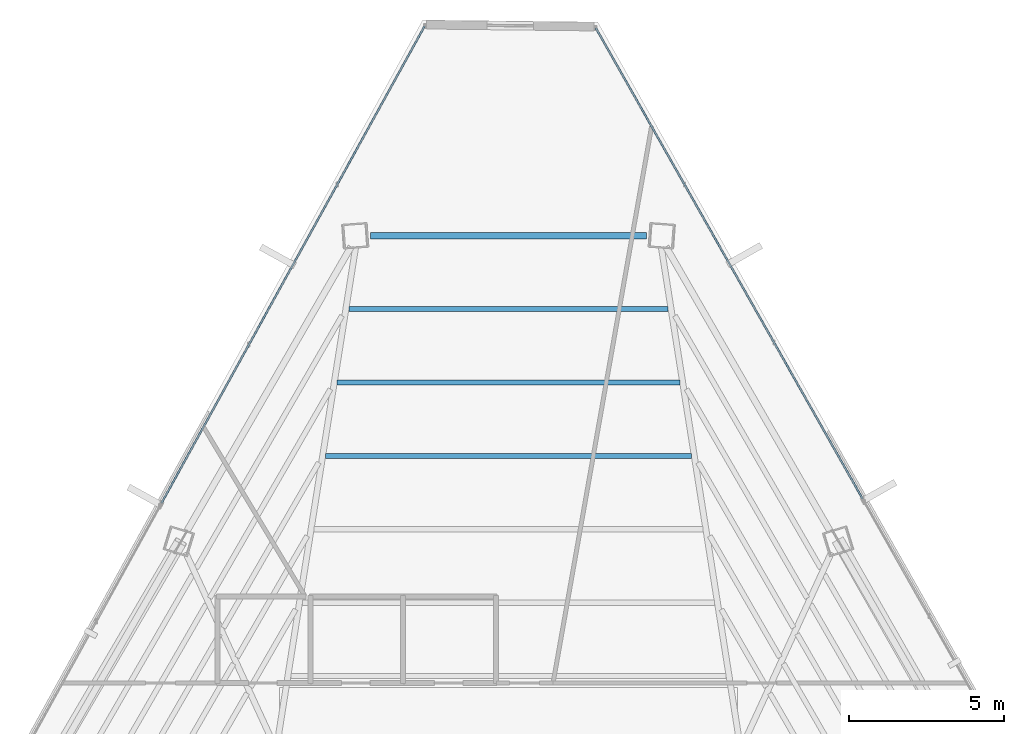
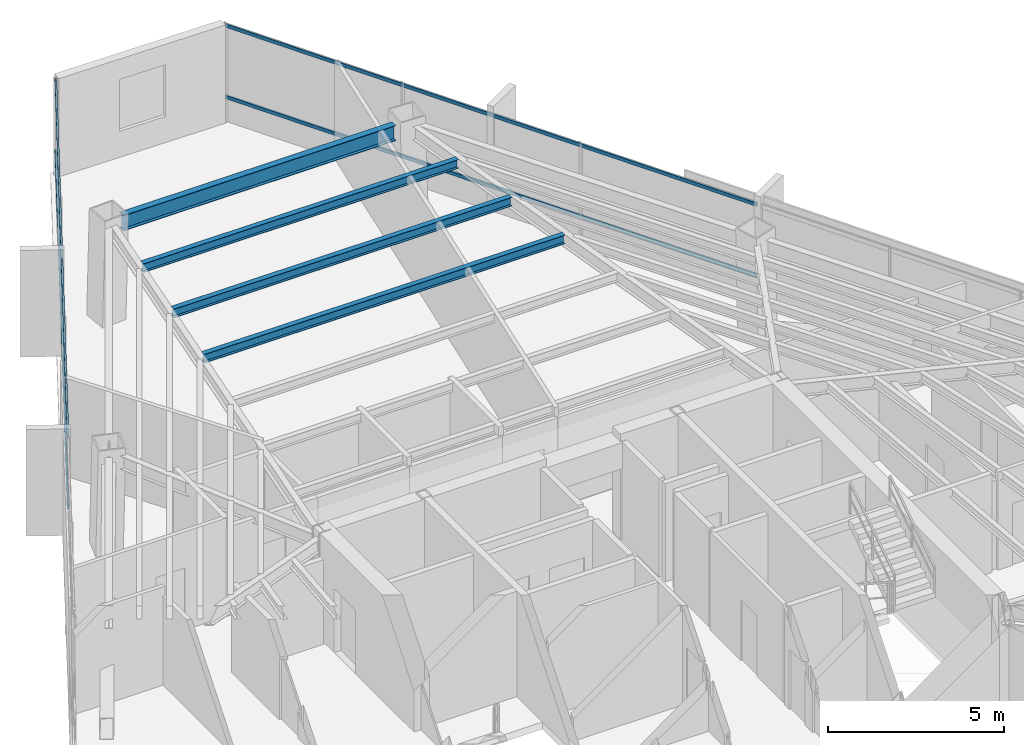
# One storey, part 30 of 41: 4 beams, 4 members, 2 elements without a shape of their own.
"""IFC4 building model written with IfcOpenShell, lengths in metres."""

import ifcopenshell
import ifcopenshell.guid

model = None  # the IFC model being written
_history = None  # IfcOwnerHistory: only IFC2X3 demands one
_inside = {}  # id of a spatial element -> (the spatial element, [elements in it])
_under = {}  # id of a project, library or spatial element -> (it, [spatial elements below it])
_declared = {}  # id of a project -> (the project, [libraries it declares])
_typed = {}  # id of a type object -> (the type object, [elements of that type])
_made_of = {}  # id of a material, layer set ... -> (it, [elements and type objects made of it])


def new_model(schema):
    """Start an empty IFC model of exactly this schema.

    Asked for "IFC4X3", IfcOpenShell would pick the latest addendum, in which some entities
    have other attributes; the version numbers below select the first issue.
    IFC2X3 requires an IfcOwnerHistory on every rooted entity: one is made here for all.
    """
    global model, _history
    if schema == "IFC4X3":
        model = ifcopenshell.file(schema_version=(4, 3, 0, 0))
    else:
        model = ifcopenshell.file(schema=schema)
    _inside.clear()
    _under.clear()
    _declared.clear()
    _typed.clear()
    _made_of.clear()
    _history = None
    if model.schema == "IFC2X3":
        org = make("IfcOrganization", Name="unknown")
        user = make(
            "IfcPersonAndOrganization",
            ThePerson=make("IfcPerson", FamilyName="unknown"),
            TheOrganization=org,
        )
        app = make(
            "IfcApplication",
            ApplicationDeveloper=org,
            Version="unknown",
            ApplicationFullName="unknown",
            ApplicationIdentifier="unknown",
        )
        _history = make(
            "IfcOwnerHistory",
            OwningUser=user,
            OwningApplication=app,
            ChangeAction="ADDED",
            CreationDate=0,
        )
    return model


def make(cls, **values):
    """One entity of the class cls with the attributes given. An attribute that is None is left unset."""
    return model.create_entity(
        cls, **{name: value for name, value in values.items() if value is not None}
    )


def rooted(cls, **values):
    """An entity with a GlobalId (a new one), such as an element, a storey or a relation."""
    return make(cls, GlobalId=ifcopenshell.guid.new(), OwnerHistory=_history, **values)


def si_unit(unit_type, name, prefix=None):
    """IfcSIUnit, for example si_unit("LENGTHUNIT", "METRE", prefix="MILLI")."""
    return make("IfcSIUnit", UnitType=unit_type, Prefix=prefix, Name=name)


def assignment(units):
    """IfcUnitAssignment: the units of a project."""
    return None if units is None else make("IfcUnitAssignment", Units=units)


def point(xyz):
    """IfcCartesianPoint."""
    return None if xyz is None else make("IfcCartesianPoint", Coordinates=xyz)


def direction(xyz):
    """IfcDirection."""
    return None if xyz is None else make("IfcDirection", DirectionRatios=xyz)


def frame(location, z_axis=None, x_axis=None):
    """IfcAxis2Placement3D, a coordinate frame: its origin and axes. An axis left out is left unset."""
    return make(
        "IfcAxis2Placement3D",
        Location=point(location),
        Axis=direction(z_axis),
        RefDirection=direction(x_axis),
    )


def frame_2d(location, x_axis=None):
    """IfcAxis2Placement2D, a coordinate frame in the plane: its origin and x axis."""
    return make(
        "IfcAxis2Placement2D", Location=point(location), RefDirection=direction(x_axis)
    )


def origin():
    """The frame at (0, 0, 0) with its axes left unset."""
    return frame((0.0, 0.0, 0.0))


def origin_2d():
    """The frame at (0, 0) in the plane with its x axis left unset."""
    return frame_2d((0.0, 0.0))


def place(relative_to, where):
    """IfcLocalPlacement: puts the frame where relative to a parent placement (None: the world)."""
    return make(
        "IfcLocalPlacement", PlacementRelTo=relative_to, RelativePlacement=where
    )


def context(
    kind, dimensions, precision=None, world=None, true_north=None, identifier=None
):
    """IfcGeometricRepresentationContext, for example the 3D "Model" context."""
    return make(
        "IfcGeometricRepresentationContext",
        ContextIdentifier=identifier,
        ContextType=kind,
        CoordinateSpaceDimension=dimensions,
        Precision=precision,
        WorldCoordinateSystem=world,
        TrueNorth=true_north,
    )


def subcontext(parent, identifier, kind, view, scale=None):
    """IfcGeometricRepresentationSubContext, for example "Body" below "Model"."""
    return make(
        "IfcGeometricRepresentationSubContext",
        ContextIdentifier=identifier,
        ContextType=kind,
        ParentContext=parent,
        TargetScale=scale,
        TargetView=view,
    )


def project(units=None, contexts=None):
    """IfcProject with its units and contexts."""
    return rooted(
        "IfcProject",
        Name="project",
        RepresentationContexts=contexts,
        UnitsInContext=assignment(units),
    )


def spatial(cls, under=None, at=None, **own):
    """A site, building, storey or space (cls), placed at a placement, below another one or the project."""
    s = rooted(cls, ObjectPlacement=at, **own)
    if under is not None:
        _under.setdefault(under.id(), (under, []))[1].append(s)
    return s


def profile(cls, at=None, kind="AREA", **sizes):
    """A parametric profile (cls). Its sizes go by their IFC names, for example OverallWidth=200.0."""
    return make(cls, ProfileType=kind, Position=at, **sizes)


def hollow_rectangle(**sizes):
    """IfcRectangleHollowProfileDef."""
    return profile("IfcRectangleHollowProfileDef", **sizes)


def i_section(**sizes):
    """IfcIShapeProfileDef."""
    return profile("IfcIShapeProfileDef", **sizes)


def extrude(swept, where, along, depth):
    """IfcExtrudedAreaSolid: the profile swept, set in the frame where, extruded along a direction by depth."""
    return make(
        "IfcExtrudedAreaSolid",
        SweptArea=swept,
        Position=where,
        ExtrudedDirection=direction(along),
        Depth=depth,
    )


def shape(context_of_items, identifier, shape_type, items):
    """IfcShapeRepresentation: the items that make up one representation, for example the "Body"."""
    return make(
        "IfcShapeRepresentation",
        ContextOfItems=context_of_items,
        RepresentationIdentifier=identifier,
        RepresentationType=shape_type,
        Items=items,
    )


def source(mapping_origin, context_of_items, identifier, shape_type, items):
    """IfcRepresentationMap: a shape defined once, which mapped items show again and again."""
    return make(
        "IfcRepresentationMap",
        MappingOrigin=mapping_origin,
        MappedRepresentation=shape(context_of_items, identifier, shape_type, items),
    )


def transform(
    local_origin,
    x_axis=None,
    y_axis=None,
    z_axis=None,
    scale=None,
    scale2=None,
    scale3=None,
    uniform=True,
):
    """IfcCartesianTransformationOperator3D, or its non-uniform kind. x_axis, y_axis, z_axis: its Axis1, 2, 3."""
    if uniform:
        return make(
            "IfcCartesianTransformationOperator3D",
            Axis1=direction(x_axis),
            Axis2=direction(y_axis),
            LocalOrigin=point(local_origin),
            Scale=scale,
            Axis3=direction(z_axis),
        )
    return make(
        "IfcCartesianTransformationOperator3DnonUniform",
        Axis1=direction(x_axis),
        Axis2=direction(y_axis),
        LocalOrigin=point(local_origin),
        Scale=scale,
        Axis3=direction(z_axis),
        Scale2=scale2,
        Scale3=scale3,
    )


def mapped(mapping_source, mapping_target):
    """IfcMappedItem: shows the shape of a source again, moved by a transform."""
    return make(
        "IfcMappedItem", MappingSource=mapping_source, MappingTarget=mapping_target
    )


def material(Name=None, Category=None):
    """IfcMaterial."""
    return make("IfcMaterial", Name=Name, Category=Category)


def material_profile(
    of_material, cross_section, Name=None, Category=None, Priority=None
):
    """IfcMaterialProfile: a cross section and its material."""
    return make(
        "IfcMaterialProfile",
        Name=Name,
        Material=of_material,
        Profile=cross_section,
        Priority=Priority,
        Category=Category,
    )


def profile_set(profiles, Name=None, composite=None):
    """IfcMaterialProfileSet."""
    return make(
        "IfcMaterialProfileSet",
        Name=Name,
        MaterialProfiles=profiles,
        CompositeProfile=composite,
    )


def made_of(thing, what):
    """Note that an element or type object is made of a material, layer set ...; save() writes the relation."""
    if what is not None:
        _made_of.setdefault(what.id(), (what, []))[1].append(thing)
    return thing


def type_object(cls, material=None, **own):
    """A type object (cls), such as IfcWallType, which elements share."""
    return made_of(rooted(cls, **own), material)


def type_shapes(of_type, sources):
    """Give a type object the sources (RepresentationMaps) that its elements show as mapped items."""
    of_type.RepresentationMaps = sources


def element(
    cls,
    number,
    at=None,
    inside=None,
    cuts=None,
    type_object=None,
    material=None,
    context=None,
    identifier="Body",
    shape_type=None,
    held_by="IfcProductDefinitionShape",
    body=None,
    shapes=None,
    **own,
):
    """One element of the class cls, such as IfcWall. Its Tag is "e" and its number.

    at: its placement. inside: the storey or other place that contains it. cuts: it is an
    opening in that element (IfcRelVoidsElement). A single representation is given by context,
    identifier, shape_type and body (its items); several are given by shapes. held_by: the class
    of the entity that holds the representations. save() writes the other relations.
    """
    e = rooted(cls, Tag="e%d" % number, ObjectPlacement=at, **own)
    if body is not None:
        shapes = [shape(context, identifier, shape_type, body)]
    if shapes is not None:
        e.Representation = make(held_by, Representations=shapes)
    if inside is not None:
        _inside.setdefault(inside.id(), (inside, []))[1].append(e)
    if cuts is not None:
        rooted(
            "IfcRelVoidsElement", RelatingBuildingElement=cuts, RelatedOpeningElement=e
        )
    if type_object is not None:
        _typed.setdefault(type_object.id(), (type_object, []))[1].append(e)
    return made_of(e, material)


def aggregate(whole, parts):
    """IfcRelAggregates: a whole, such as a stair, and the parts it consists of."""
    return rooted("IfcRelAggregates", RelatingObject=whole, RelatedObjects=parts)


def save(model, path):
    """Write the relations noted so far, then the file.

    IfcRelAggregates (storeys below a building ...), IfcRelContainedInSpatialStructure (elements
    in a storey), IfcRelDefinesByType, IfcRelAssociatesMaterial and IfcRelDeclares: one each for
    every whole, place, type object, material and project.
    """
    for whole, parts in _under.values():
        aggregate(whole, parts)
    for where, things in _inside.values():
        rooted(
            "IfcRelContainedInSpatialStructure",
            RelatedElements=things,
            RelatingStructure=where,
        )
    for kind, things in _typed.values():
        rooted("IfcRelDefinesByType", RelatedObjects=things, RelatingType=kind)
    for what, things in _made_of.values():
        rooted("IfcRelAssociatesMaterial", RelatedObjects=things, RelatingMaterial=what)
    for by, libraries in _declared.values():
        rooted("IfcRelDeclares", RelatingContext=by, RelatedDefinitions=libraries)
    model.write(path)


model = new_model("IFC4")

# Units and contexts
model_context = context("Model", 3, precision=1e-05, world=origin(), true_north=direction((0.0, 1.0)))
body_context = subcontext(model_context, "Body", "Model", "MODEL_VIEW")
ifc_project = project(units=[si_unit("LENGTHUNIT", "METRE"), si_unit("AREAUNIT", "SQUARE_METRE"), si_unit("VOLUMEUNIT", "CUBIC_METRE"), si_unit("PLANEANGLEUNIT", "RADIAN"), si_unit("MASSUNIT", "GRAM", prefix="KILO")], contexts=[model_context])

# Site, building, storey
site_placement = place(None, origin())
site = spatial("IfcSite", under=ifc_project, at=site_placement, CompositionType="ELEMENT")
building_placement = place(site_placement, origin())
building = spatial("IfcBuilding", under=site, at=building_placement, Name="Caelisora Broadcast Tower", CompositionType="ELEMENT")
storey_placement = place(building_placement, frame((0.0, 0.0, 209.60009765625)))
storey = spatial("IfcBuildingStorey", under=building, at=storey_placement, Name="L55", CompositionType="ELEMENT", Elevation=209.60009765625)

# Beams
ifc_material_1 = material(Name="Steel Grade 350 (AS/NZS 3679.1)", Category="steel")
ifc_material_profile_1 = material_profile(ifc_material_1, i_section(OverallWidth=0.208984375, OverallDepth=0.532958984375, WebThickness=0.01025390625, FlangeThickness=0.015625, at=origin_2d()), Name="Steel Grade 350 (AS/NZS 3679.1)")
ifc_profile_set_1 = profile_set([ifc_material_profile_1], Name="Steel Grade 350 (AS/NZS 3679.1)")
beam_type_1 = type_object("IfcBeamType", Name="PG05", PredefinedType="BEAM", material=ifc_profile_set_1)
shared_shape_1 = source(origin(), body_context, "Body", "SweptSolid", [
    extrude(i_section(OverallWidth=0.208984375, OverallDepth=0.532958984375, WebThickness=0.01025390625, FlangeThickness=0.015625, at=origin_2d()), origin(), (0.0, 0.0, 1.0), 8.92138671875),
])
type_shapes(beam_type_1, [shared_shape_1])
beam_1_placement = place(storey_placement, frame((42.460693359375, 46.5986328125, 3.13330078125), z_axis=(-1.0, 0.0, 0.0), x_axis=(0.0, -1.0, 0.0)))
element("IfcBeam", 1, at=beam_1_placement, inside=storey, type_object=beam_type_1, Name="L55 beam PG05", PredefinedType="BEAM", context=body_context, shape_type="MappedRepresentation", body=[
    mapped(shared_shape_1, transform((0.0, 0.0, 0.0), scale=1.0)),
])
ifc_material_profile_2 = material_profile(ifc_material_1, i_section(OverallWidth=0.166015625, OverallDepth=0.30712890625, WebThickness=0.006591796875, FlangeThickness=0.01171875, at=origin_2d()), Name="Steel Grade 350 (AS/NZS 3679.1)")
ifc_profile_set_2 = profile_set([ifc_material_profile_2], Name="Steel Grade 350 (AS/NZS 3679.1)")
beam_type_2 = type_object("IfcBeamType", Name="SB03", PredefinedType="JOIST", material=ifc_profile_set_2)
shared_shape_2 = source(origin(), body_context, "Body", "SweptSolid", [
    extrude(i_section(OverallWidth=0.166015625, OverallDepth=0.30712890625, WebThickness=0.006591796875, FlangeThickness=0.01171875, at=origin_2d()), origin(), (0.0, 0.0, 1.0), 11.814453125),
])
beam_2_placement = place(storey_placement, frame((43.9072265625, 39.485107421875, 3.246337890625), z_axis=(-1.0, 0.0, 0.0), x_axis=(0.0, -1.0, 0.0)))
element("IfcBeam", 2, at=beam_2_placement, inside=storey, type_object=beam_type_2, Name="L55 beam SB03", PredefinedType="JOIST", context=body_context, shape_type="MappedRepresentation", body=[
    mapped(shared_shape_2, transform((0.0, 0.0, 0.0), scale=1.0)),
])
shared_shape_3 = source(origin(), body_context, "Body", "SweptSolid", [
    extrude(i_section(OverallWidth=0.166015625, OverallDepth=0.30712890625, WebThickness=0.006591796875, FlangeThickness=0.01171875, at=origin_2d()), origin(), (0.0, 0.0, 1.0), 11.0654296875),
])
beam_3_placement = place(storey_placement, frame((43.53271484375, 41.856201171875, 3.246337890625), z_axis=(-1.0, 0.0, 0.0), x_axis=(0.0, -1.0, 0.0)))
element("IfcBeam", 3, at=beam_3_placement, inside=storey, type_object=beam_type_2, Name="L55 beam SB03", PredefinedType="JOIST", context=body_context, shape_type="MappedRepresentation", body=[
    mapped(shared_shape_3, transform((0.0, 0.0, 0.0), scale=1.0)),
])
shared_shape_4 = source(origin(), body_context, "Body", "SweptSolid", [
    extrude(i_section(OverallWidth=0.166015625, OverallDepth=0.30712890625, WebThickness=0.006591796875, FlangeThickness=0.01171875, at=origin_2d()), origin(), (0.0, 0.0, 1.0), 10.3154296875),
])
type_shapes(beam_type_2, [shared_shape_2, shared_shape_3, shared_shape_4])
beam_4_placement = place(storey_placement, frame((43.15771484375, 44.2275390625, 3.246337890625), z_axis=(-1.0, 0.0, 0.0), x_axis=(0.0, -1.0, 0.0)))
element("IfcBeam", 4, at=beam_4_placement, inside=storey, type_object=beam_type_2, Name="L55 beam SB03", PredefinedType="JOIST", context=body_context, shape_type="MappedRepresentation", body=[
    mapped(shared_shape_4, transform((0.0, 0.0, 0.0), scale=1.0)),
])

# Curtain wall, members
ifc_material_2 = material(Name="Unitised Aluminium and Low-E Glass Curtain Wall", Category="glass")
curtain_wall_type = type_object("IfcCurtainWallType", Name="CW-Z4", PredefinedType="NOTDEFINED", material=ifc_material_2)
curtain_wall_1_placement = place(storey_placement, origin())
curtain_wall_1 = element("IfcCurtainWall", 5, at=curtain_wall_1_placement, inside=storey, type_object=curtain_wall_type, Name="L55 curtain wall CW-Z4", PredefinedType="NOTDEFINED")
ifc_material_3 = material(Name="Aluminium 6063-T6 Anodised Terracotta Bronze", Category="aluminium")
ifc_material_profile_3 = material_profile(ifc_material_3, hollow_rectangle(XDim=0.06005859375, YDim=0.1201171875, WallThickness=0.0029296875, at=origin_2d()), Name="Aluminium 6063-T6 Anodised Terracotta Bronze")
ifc_profile_set_3 = profile_set([ifc_material_profile_3], Name="Aluminium 6063-T6 Anodised Terracotta Bronze")
member_type = type_object("IfcMemberType", Name="CWT-03", PredefinedType="USERDEFINED", material=ifc_profile_set_3)
shared_shape_5 = source(origin(), body_context, "Body", "SweptSolid", [
    extrude(hollow_rectangle(XDim=0.06005859375, YDim=0.1201171875, WallThickness=0.0029296875, at=origin_2d()), origin(), (0.0, 0.0, 1.0), 17.4814453125),
])
member_1_placement = place(storey_placement, frame((40.819580078125, 53.305419921875, 0.849853515625), z_axis=(0.492972753564, -0.870044748414, 0.0), x_axis=(0.870044748414, 0.492972753564, 0.0)))
member_1 = element("IfcMember", 6, at=member_1_placement, type_object=member_type, Name="L55-CW-B01 transom #1", ObjectType="TRANSOM", PredefinedType="USERDEFINED", context=body_context, shape_type="MappedRepresentation", body=[
    mapped(shared_shape_5, transform((0.0, 0.0, 0.0), scale=1.0)),
])
member_2_placement = place(storey_placement, frame((40.819580078125, 53.305419921875, 3.31982421875), z_axis=(0.492972753564, -0.870044748414, 0.0), x_axis=(0.870044748414, 0.492972753564, 0.0)))
member_2 = element("IfcMember", 7, at=member_2_placement, type_object=member_type, Name="L55-CW-B01 transom #2", ObjectType="TRANSOM", PredefinedType="USERDEFINED", context=body_context, shape_type="MappedRepresentation", body=[
    mapped(shared_shape_5, transform((0.0, 0.0, 0.0), scale=1.0)),
])
aggregate(curtain_wall_1, [member_1, member_2])

curtain_wall_2_placement = place(storey_placement, origin())
curtain_wall_2 = element("IfcCurtainWall", 8, at=curtain_wall_2_placement, inside=storey, type_object=curtain_wall_type, Name="L55 curtain wall CW-Z4", PredefinedType="NOTDEFINED")
shared_shape_6 = source(origin(), body_context, "Body", "SweptSolid", [
    extrude(hollow_rectangle(XDim=0.06005859375, YDim=0.1201171875, WallThickness=0.0029296875, at=origin_2d()), origin(), (0.0, 0.0, 1.0), 17.604248046875),
])
type_shapes(member_type, [shared_shape_5, shared_shape_6])
member_3_placement = place(storey_placement, frame((26.789794921875, 37.95263671875, 0.849853515625), z_axis=(0.483005483972, 0.875617326492, 0.0), x_axis=(-0.875617326492, 0.483005483972, 0.0)))
member_3 = element("IfcMember", 9, at=member_3_placement, type_object=member_type, Name="L55-CW-B11 transom #1", ObjectType="TRANSOM", PredefinedType="USERDEFINED", context=body_context, shape_type="MappedRepresentation", body=[
    mapped(shared_shape_6, transform((0.0, 0.0, 0.0), scale=1.0)),
])
member_4_placement = place(storey_placement, frame((26.789794921875, 37.95263671875, 3.31982421875), z_axis=(0.483005483972, 0.875617326492, 0.0), x_axis=(-0.875617326492, 0.483005483972, 0.0)))
member_4 = element("IfcMember", 10, at=member_4_placement, type_object=member_type, Name="L55-CW-B11 transom #2", ObjectType="TRANSOM", PredefinedType="USERDEFINED", context=body_context, shape_type="MappedRepresentation", body=[
    mapped(shared_shape_6, transform((0.0, 0.0, 0.0), scale=1.0)),
])
aggregate(curtain_wall_2, [member_3, member_4])

save(model, "model.ifc")
